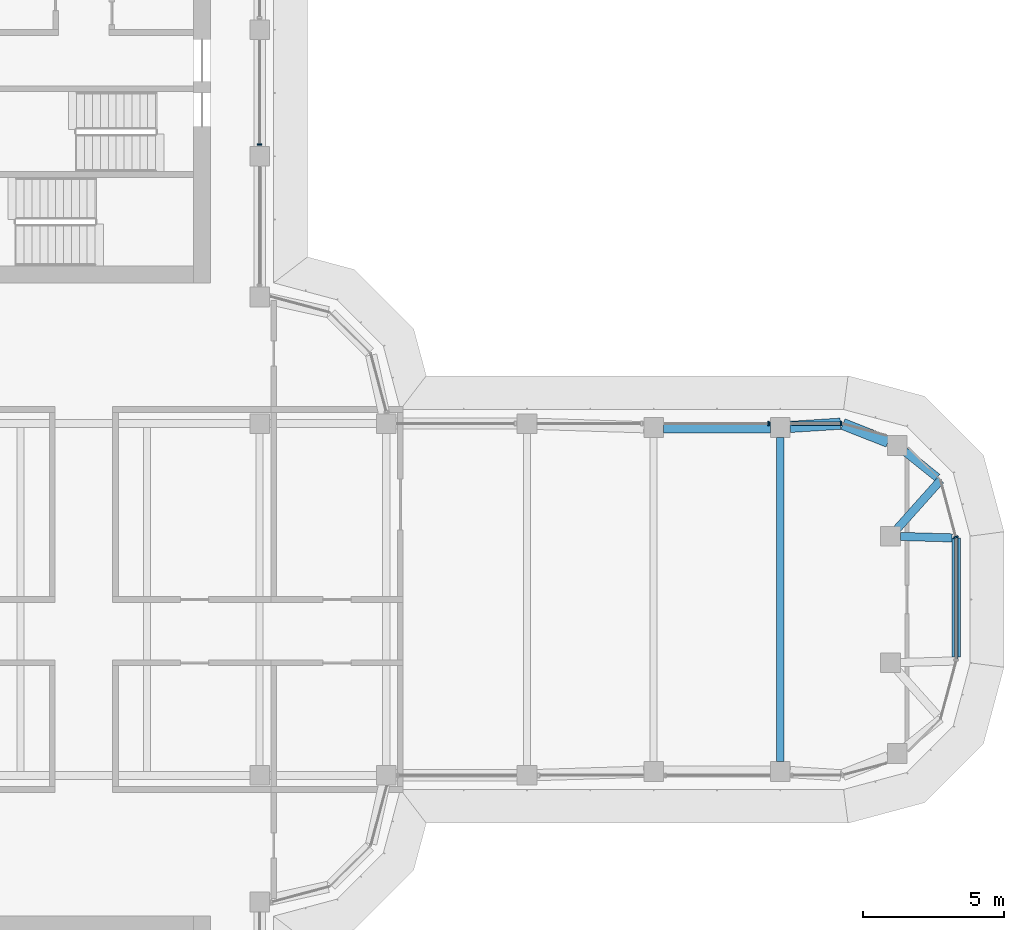
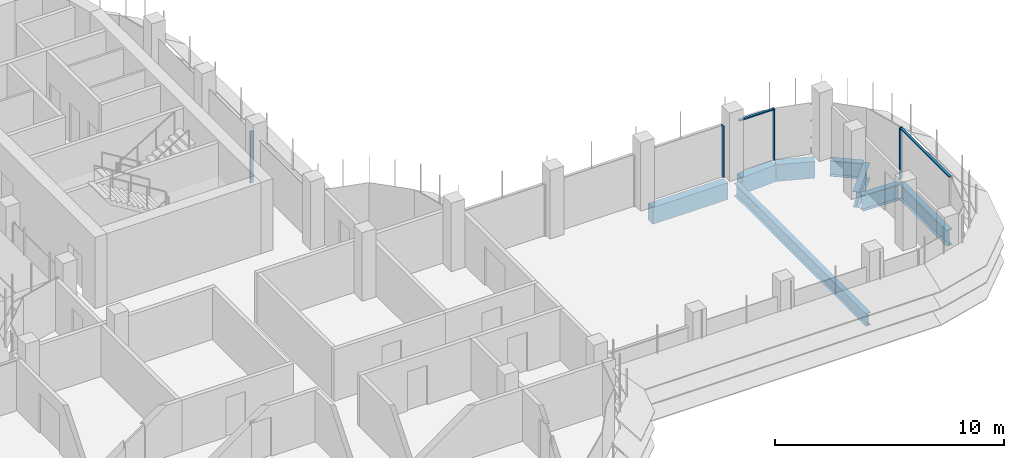
# One storey, part 9 of 19: 8 beams, 6 members, 4 elements without a shape of their own.
"""IFC4 building model written with IfcOpenShell, lengths in metres."""

from ifc_helpers import new_model, si_unit, direction, frame, origin, origin_2d, place, context, subcontext, project, spatial, polyline, rectangle, i_section, outline, extrude, source, transform, mapped, material, material_profile, profile_set, type_object, element, aggregate, save


model = new_model("IFC4")

# Units and contexts
model_context = context("Model", 3, precision=1e-05, world=origin(), true_north=direction((0.0, 1.0)))
body_context = subcontext(model_context, "Body", "Model", "MODEL_VIEW")
ifc_project = project(units=[si_unit("LENGTHUNIT", "METRE"), si_unit("AREAUNIT", "SQUARE_METRE"), si_unit("VOLUMEUNIT", "CUBIC_METRE"), si_unit("PLANEANGLEUNIT", "RADIAN"), si_unit("MASSUNIT", "GRAM", prefix="KILO")], contexts=[model_context])

# Site, building, storey
site_placement = place(None, origin())
site = spatial("IfcSite", under=ifc_project, at=site_placement, CompositionType="ELEMENT")
building_placement = place(site_placement, origin())
building = spatial("IfcBuilding", under=site, at=building_placement, Name="Zarbagh Exchange Tower", CompositionType="ELEMENT")
storey_placement = place(building_placement, frame((0.0, 0.0, 218.199951171875)))
storey = spatial("IfcBuildingStorey", under=building, at=storey_placement, Name="L53", CompositionType="ELEMENT", Elevation=218.199951171875)

# Beams
ifc_material_1 = material(Name="Steel ASTM A992 Gr 50", Category="steel")
ifc_material_profile_1 = material_profile(ifc_material_1, i_section(OverallWidth=0.25390625, OverallDepth=0.67822265625, WebThickness=0.01171875, FlangeThickness=0.016357421875, at=origin_2d()), Name="W27X84")
ifc_profile_set_1 = profile_set([ifc_material_profile_1], Name="Steel ASTM A992 Gr 50")
beam_type_1 = type_object("IfcBeamType", Name="Floor beam W27X84", PredefinedType="BEAM", material=ifc_profile_set_1)
beam_1_placement = place(storey_placement, frame((24.75, -5.760009765625, -0.489013671875), z_axis=(0.0, 1.0, 0.0), x_axis=(-1.0, 0.0, 0.0)))
element("IfcBeam", 1, at=beam_1_placement, inside=storey, type_object=beam_type_1, Name="Steel floor beam", PredefinedType="BEAM", context=body_context, shape_type="SweptSolid", body=[
    extrude(i_section(OverallWidth=0.25390625, OverallDepth=0.67822265625, WebThickness=0.01171875, FlangeThickness=0.016357421875, at=origin_2d()), origin(), (0.0, 0.0, 1.0), 11.52001953125),
])
ifc_material_profile_2 = material_profile(ifc_material_1, i_section(OverallWidth=0.2919921875, OverallDepth=0.835693359375, WebThickness=0.013916015625, FlangeThickness=0.018798828125, at=origin_2d()), Name="W33X118")
ifc_profile_set_2 = profile_set([ifc_material_profile_2], Name="Steel ASTM A992 Gr 50")
beam_type_2 = type_object("IfcBeamType", Name="Floor girder W33X118", PredefinedType="BEAM", material=ifc_profile_set_2)
beam_2_placement = place(storey_placement, frame((29.18115234375, 5.256103515625, -0.56787109375), z_axis=(0.780625690962, -0.624998824487, 0.0), x_axis=(0.624998824487, 0.780625690962, 0.0)))
element("IfcBeam", 2, at=beam_2_placement, inside=storey, type_object=beam_type_2, Name="Steel girder", PredefinedType="BEAM", context=body_context, shape_type="SweptSolid", body=[
    extrude(i_section(OverallWidth=0.2919921875, OverallDepth=0.835693359375, WebThickness=0.013916015625, FlangeThickness=0.018798828125, at=origin_2d()), origin(), (0.0, 0.0, 1.0), 1.469970703125),
])
beam_3_placement = place(storey_placement, frame((30.44873046875, 4.2412109375, -0.56787109375), z_axis=(-0.66615169279, -0.745816279115, 0.0), x_axis=(0.745816279115, -0.66615169279, 0.0)))
element("IfcBeam", 3, at=beam_3_placement, inside=storey, type_object=beam_type_2, Name="Steel girder", PredefinedType="BEAM", context=body_context, shape_type="SweptSolid", body=[
    extrude(i_section(OverallWidth=0.2919921875, OverallDepth=0.835693359375, WebThickness=0.013916015625, FlangeThickness=0.018798828125, at=origin_2d()), origin(), (0.0, 0.0, 1.0), 2.31982421875),
])
beam_4_placement = place(storey_placement, frame((29.02001953125, 2.239990234375, -0.56787109375), z_axis=(0.999603805015, -0.028146633904, 0.0), x_axis=(0.028146633904, 0.999603805015, 0.0)))
element("IfcBeam", 4, at=beam_4_placement, inside=storey, type_object=beam_type_2, Name="Steel girder", PredefinedType="BEAM", context=body_context, shape_type="SweptSolid", body=[
    extrude(i_section(OverallWidth=0.2919921875, OverallDepth=0.835693359375, WebThickness=0.013916015625, FlangeThickness=0.018798828125, at=origin_2d()), origin(), (0.0, 0.0, 1.0), 1.8388671875),
])
beam_5_placement = place(storey_placement, frame((31.0, 2.18408203125, -0.56787109375), z_axis=(0.0, -1.0, 0.0), x_axis=(1.0, 0.0, 0.0)))
element("IfcBeam", 5, at=beam_5_placement, inside=storey, type_object=beam_type_2, Name="Steel girder", PredefinedType="BEAM", context=body_context, shape_type="SweptSolid", body=[
    extrude(i_section(OverallWidth=0.2919921875, OverallDepth=0.835693359375, WebThickness=0.013916015625, FlangeThickness=0.018798828125, at=origin_2d()), origin(), (0.0, 0.0, 1.0), 4.226318359375),
])
ifc_material_2 = material(Name="Concrete C50/60", Category="concrete")
ifc_material_profile_3 = material_profile(ifc_material_2, rectangle(XDim=0.39990234375, YDim=0.89990234375, at=origin_2d()), Name="RC spandrel beam 400 x 900 C50/60")
ifc_profile_set_3 = profile_set([ifc_material_profile_3], Name="Concrete C50/60")
beam_type_3 = type_object("IfcBeamType", Name="RC spandrel beam 400 x 900 C50/60", PredefinedType="SPANDREL", material=ifc_profile_set_3)
beam_6_placement = place(storey_placement, frame((20.60009765625, 6.110107421875, -0.599853515625), z_axis=(1.0, 0.0, 0.0), x_axis=(0.0, 1.0, 0.0)))
element("IfcBeam", 6, at=beam_6_placement, inside=storey, type_object=beam_type_3, Name="RC spandrel beam", PredefinedType="SPANDREL", context=body_context, shape_type="SweptSolid", body=[
    extrude(rectangle(XDim=0.39990234375, YDim=0.89990234375, at=origin_2d()), origin(), (0.0, 0.0, 1.0), 3.7998046875),
])
beam_7_placement = place(storey_placement, frame((25.099365234375, 6.13232421875, -0.599853515625), z_axis=(0.997943601797, 0.064098109429, 0.0), x_axis=(-0.064098109429, 0.997943601797, 0.0)))
element("IfcBeam", 7, at=beam_7_placement, inside=storey, type_object=beam_type_3, Name="RC spandrel beam", PredefinedType="SPANDREL", context=body_context, shape_type="SweptSolid", body=[
    extrude(rectangle(XDim=0.39990234375, YDim=0.89990234375, at=origin_2d()), origin(), (0.0, 0.0, 1.0), 1.7939453125),
])
beam_8_placement = place(storey_placement, frame((26.9755859375, 6.233642578125, -0.599853515625), z_axis=(0.930818525178, -0.365481700207, 0.0), x_axis=(0.365481700207, 0.930818525178, 0.0)))
element("IfcBeam", 8, at=beam_8_placement, inside=storey, type_object=beam_type_3, Name="RC spandrel beam", PredefinedType="SPANDREL", context=body_context, shape_type="SweptSolid", body=[
    extrude(rectangle(XDim=0.39990234375, YDim=0.89990234375, at=origin_2d()), origin(), (0.0, 0.0, 1.0), 1.72607421875),
])

# Curtain wall, member
ifc_material_3 = material(Name="Anodised aluminium frame and glazing", Category="aluminium")
curtain_wall_type = type_object("IfcCurtainWallType", Name="CWB Ribbon glazing, upper zones", PredefinedType="NOTDEFINED", material=ifc_material_3)
curtain_wall_1_placement = place(storey_placement, origin())
curtain_wall_1 = element("IfcCurtainWall", 9, at=curtain_wall_1_placement, inside=storey, type_object=curtain_wall_type, Name="CWB13 curtain wall", PredefinedType="NOTDEFINED")
ifc_material_4 = material(Name="Anodised aluminium frame", Category="aluminium")
member_type_1 = type_object("IfcMemberType", Name="MUB Mullion, anodised aluminium frame", PredefinedType="MULLION", material=ifc_material_4)
shared_shape_1 = source(origin(), body_context, "Body", "SweptSolid", [
    extrude(outline(polyline([(0.0, -0.080078125), (0.06005859375, -0.080078125), (0.06005859375, 0.080078125), (0.0, 0.080078125), (0.0, -0.080078125)])), origin(), (0.0, 0.0, 1.0), 2.75),
])
placement = place(storey_placement, origin())
member_1 = element("IfcMember", 10, at=placement, type_object=member_type_1, Name="CWB13 mullion 1.1", PredefinedType="MULLION", context=body_context, shape_type="MappedRepresentation", body=[
    mapped(shared_shape_1, transform((31.0, 2.18408203125, 0.0), x_axis=(-0.258824779902, 0.965924289636, 0.0), y_axis=(-0.965924289636, -0.258824779902, 0.0), z_axis=(0.0, 0.0, 1.0))),
])
aggregate(curtain_wall_1, [member_1])

# Curtain wall, members
curtain_wall_2_placement = place(storey_placement, origin())
curtain_wall_2 = element("IfcCurtainWall", 11, at=curtain_wall_2_placement, inside=storey, type_object=curtain_wall_type, Name="CWB16 curtain wall", PredefinedType="NOTDEFINED")
member_2 = element("IfcMember", 12, at=placement, type_object=member_type_1, Name="CWB16 mullion 1.1", PredefinedType="MULLION", context=body_context, shape_type="MappedRepresentation", body=[
    mapped(shared_shape_1, transform((26.93408203125, 6.25, 0.0), x_axis=(-1.0, 0.0, 0.0), y_axis=(0.0, -1.0, 0.0), z_axis=(0.0, 0.0, 1.0))),
])
member_3 = element("IfcMember", 13, at=placement, type_object=member_type_1, Name="CWB16 mullion 2.1", PredefinedType="MULLION", context=body_context, shape_type="MappedRepresentation", body=[
    mapped(shared_shape_1, transform((24.35986328125, 6.25, 0.0), x_axis=(-1.0, 0.0, 0.0), y_axis=(0.0, -1.0, 0.0), z_axis=(0.0, 0.0, 1.0))),
])

# Curtain wall, member
curtain_wall_3_placement = place(storey_placement, origin())
curtain_wall_3 = element("IfcCurtainWall", 14, at=curtain_wall_3_placement, inside=storey, type_object=curtain_wall_type, Name="CWB67 curtain wall", PredefinedType="NOTDEFINED")
member_4 = element("IfcMember", 15, at=placement, type_object=member_type_1, Name="CWB67 mullion 2.1", PredefinedType="MULLION", context=body_context, shape_type="MappedRepresentation", body=[
    mapped(shared_shape_1, transform((6.25, 16.14013671875, 0.0), x_axis=(0.0, 1.0, 0.0), y_axis=(-1.0, 0.0, 0.0), z_axis=(0.0, 0.0, 1.0))),
])
aggregate(curtain_wall_3, [member_4])

# Member
member_type_2 = type_object("IfcMemberType", Name="TRB Transom, anodised aluminium frame", PredefinedType="USERDEFINED", material=ifc_material_4)
shared_shape_2 = source(origin(), body_context, "Body", "SweptSolid", [
    extrude(outline(polyline([(-0.06005859375, -0.06005859375), (0.0, -0.06005859375), (0.0, 0.06005859375), (-0.06005859375, 0.06005859375), (-0.06005859375, -0.06005859375)])), origin(), (0.0, 0.0, 1.0), 1.734130859375),
])
member_5 = element("IfcMember", 16, at=placement, type_object=member_type_2, Name="CWB16 transom 1.1", ObjectType="TRANSOM", PredefinedType="USERDEFINED", context=body_context, shape_type="MappedRepresentation", body=[
    mapped(shared_shape_2, transform((26.874267578125, 6.25, 2.75), x_axis=(0.0, 0.0, 1.0), y_axis=(0.0, 1.0, 0.0), z_axis=(-1.0, 0.0, 0.0))),
])

aggregate(curtain_wall_2, [member_2, member_5, member_3])

# Curtain wall, member
curtain_wall_4_placement = place(storey_placement, origin())
curtain_wall_4 = element("IfcCurtainWall", 17, at=curtain_wall_4_placement, inside=storey, type_object=curtain_wall_type, Name="CWB12 curtain wall", PredefinedType="NOTDEFINED")
shared_shape_3 = source(origin(), body_context, "Body", "SweptSolid", [
    extrude(outline(polyline([(-0.06005859375, -0.06005859375), (0.0, -0.06005859375), (0.0, 0.06005859375), (-0.06005859375, 0.06005859375), (-0.06005859375, -0.06005859375)])), origin(), (0.0, 0.0, 1.0), 4.308349609375),
])
member_6 = element("IfcMember", 18, at=placement, type_object=member_type_2, Name="CWB12 transom 1.1", ObjectType="TRANSOM", PredefinedType="USERDEFINED", context=body_context, shape_type="MappedRepresentation", body=[
    mapped(shared_shape_3, transform((31.0, -2.124267578125, 2.75), x_axis=(0.0, 0.0, 1.0), y_axis=(1.0, 0.0, 0.0), z_axis=(0.0, 1.0, 0.0))),
])
aggregate(curtain_wall_4, [member_6])

save(model, "model.ifc")
